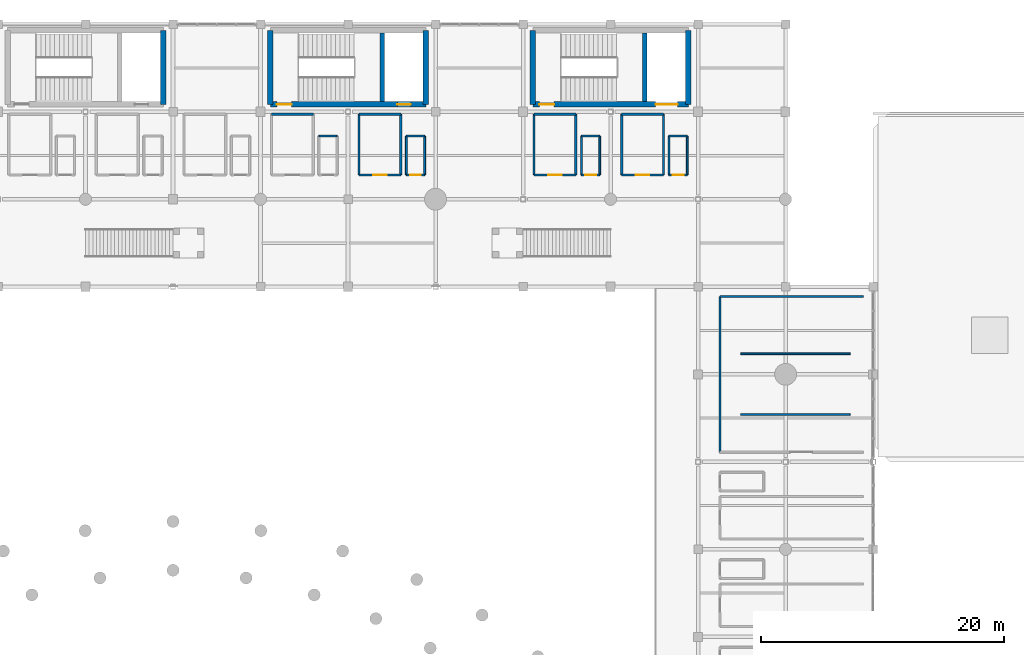
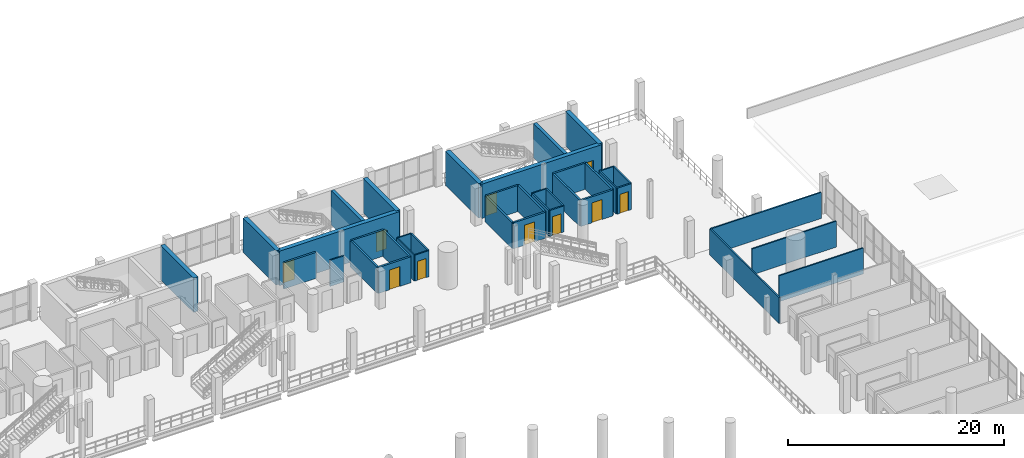
# One storey, part 110 of 130: 39 walls, 10 doors, 10 openings.
"""IFC4 building model written with IfcOpenShell, lengths in metres."""

from ifc_helpers import new_model, si_unit, direction, frame, frame_2d, origin, place, context, subcontext, project, spatial, rectangle, extrude, material, layer, layer_set, type_object, element, fill, save


model = new_model("IFC4")

# Units and contexts
model_context = context("Model", 3, precision=1e-05, world=origin(), true_north=direction((0.0, 1.0)))
body_context = subcontext(model_context, "Body", "Model", "MODEL_VIEW")
ifc_project = project(units=[si_unit("LENGTHUNIT", "METRE"), si_unit("AREAUNIT", "SQUARE_METRE"), si_unit("VOLUMEUNIT", "CUBIC_METRE"), si_unit("PLANEANGLEUNIT", "RADIAN"), si_unit("MASSUNIT", "GRAM", prefix="KILO")], contexts=[model_context])

# Site, building, storey
site_placement = place(None, origin())
site = spatial("IfcSite", under=ifc_project, at=site_placement, CompositionType="ELEMENT")
building_placement = place(site_placement, origin())
building = spatial("IfcBuilding", under=site, at=building_placement, Name="Qandorah Velis Arena", CompositionType="ELEMENT")
storey_placement = place(building_placement, frame((0.0, 0.0, 9.60009765625)))
storey = spatial("IfcBuildingStorey", under=building, at=storey_placement, Name="L02", CompositionType="ELEMENT", Elevation=9.60009765625)

# Wall
ifc_material_1 = material(Name="Concrete C35/45", Category="concrete")
ifc_layer_1 = layer(ifc_material_1, 0.199951171875)
ifc_layer_set_1 = layer_set([ifc_layer_1], Name="Concrete C35/45")
wall_type_1 = type_object("IfcWallType", Name="ARC-WAL-FD60-200", PredefinedType="PARTITIONING", material=ifc_layer_set_1)
wall_1_placement = place(storey_placement, frame((76.35009765625, 122.199951171875, 0.0), z_axis=(0.0, 0.0, 1.0), x_axis=(-1.0, 0.0, 0.0)))
element("IfcWall", 1, at=wall_1_placement, inside=storey, type_object=wall_type_1, Name="Interior partition L02-HS-23 (N)", PredefinedType="PARTITIONING", context=body_context, shape_type="SweptSolid", body=[
    extrude(rectangle(XDim=3.4501953125, YDim=0.199951171875, at=frame_2d((1.72509765625, 0.0))), origin(), (0.0, 0.0, 1.0), 2.93994140625),
])

# Wall, opening, door
wall_2_placement = place(storey_placement, frame((80.10009765625, 117.199951171875, 0.0), z_axis=(0.0, 0.0, 1.0), x_axis=(1.0, 0.0, 0.0)))
wall_2 = element("IfcWall", 2, at=wall_2_placement, inside=storey, type_object=wall_type_1, Name="Interior partition L02-HS-24 (S)", PredefinedType="PARTITIONING", context=body_context, shape_type="SweptSolid", body=[
    extrude(rectangle(XDim=3.449951171875, YDim=0.199951171875, at=frame_2d((1.72509765625, 0.0))), origin(), (0.0, 0.0, 1.0), 2.93994140625),
])
opening_1_placement = place(wall_2_placement, frame((1.175048828125, 0.0, 0.0)))
opening_1 = element("IfcOpeningElement", 3, at=opening_1_placement, cuts=wall_2, Name="Opening D7", PredefinedType="OPENING", context=body_context, shape_type="SweptSolid", body=[
    extrude(rectangle(XDim=1.10009765625, YDim=2.25, at=frame_2d((0.550048828125, 1.125))), frame((0.0, 0.10986328125, 0.0), z_axis=(0.0, -1.0, 0.0), x_axis=(1.0, 0.0, 0.0)), (0.0, 0.0, 1.0), 0.219970703125),
])
ifc_material_2 = material(Name="Hospitality suite acoustic walnut door")
door_type_1 = type_object("IfcDoorType", Name="ARC-DR-INT1100", OperationType="NOTDEFINED", PredefinedType="DOOR", material=ifc_material_2)
door_1_placement = place(opening_1_placement, origin())
door_1 = element("IfcDoor", 4, at=door_1_placement, inside=storey, type_object=door_type_1, Name="Door L02-HS-24", OperationType="SINGLE_SWING_LEFT", OverallHeight=2.25, OverallWidth=1.10009765625, PredefinedType="DOOR", context=body_context, shape_type="SweptSolid", body=[
    extrude(rectangle(XDim=1.10009765625, YDim=2.25, at=frame_2d((0.550048828125, 1.125))), frame((0.0, 0.02490234375, 0.0), z_axis=(0.0, -1.0, 0.0), x_axis=(1.0, 0.0, 0.0)), (0.0, 0.0, 1.0), 0.050048828125),
])
fill(opening_1, door_1)

# Walls
wall_3_placement = place(storey_placement, frame((83.550048828125, 117.199951171875, 0.0), z_axis=(0.0, 0.0, 1.0), x_axis=(0.0, 1.0, 0.0)))
element("IfcWall", 5, at=wall_3_placement, inside=storey, type_object=wall_type_1, Name="Interior partition L02-HS-24 (E)", PredefinedType="PARTITIONING", context=body_context, shape_type="SweptSolid", body=[
    extrude(rectangle(XDim=5.0, YDim=0.199951171875, at=frame_2d((2.5, 0.0))), origin(), (0.0, 0.0, 1.0), 2.93994140625),
])
wall_4_placement = place(storey_placement, frame((83.550048828125, 122.199951171875, 0.0), z_axis=(0.0, 0.0, 1.0), x_axis=(-1.0, 0.0, 0.0)))
element("IfcWall", 6, at=wall_4_placement, inside=storey, type_object=wall_type_1, Name="Interior partition L02-HS-24 (N)", PredefinedType="PARTITIONING", context=body_context, shape_type="SweptSolid", body=[
    extrude(rectangle(XDim=3.449951171875, YDim=0.199951171875, at=frame_2d((1.72509765625, 0.0))), origin(), (0.0, 0.0, 1.0), 2.93994140625),
])
wall_5_placement = place(storey_placement, frame((80.10009765625, 122.199951171875, 0.0), z_axis=(0.0, 0.0, 1.0), x_axis=(0.0, -1.0, 0.0)))
element("IfcWall", 7, at=wall_5_placement, inside=storey, type_object=wall_type_1, Name="Interior partition L02-HS-24 (W)", PredefinedType="PARTITIONING", context=body_context, shape_type="SweptSolid", body=[
    extrude(rectangle(XDim=5.0, YDim=0.199951171875, at=frame_2d((2.5, 0.0))), origin(), (0.0, 0.0, 1.0), 2.93994140625),
])

# Wall, opening, door
wall_6_placement = place(storey_placement, frame((94.5, 117.199951171875, 0.0), z_axis=(0.0, 0.0, 1.0), x_axis=(1.0, 0.0, 0.0)))
wall_6 = element("IfcWall", 8, at=wall_6_placement, inside=storey, type_object=wall_type_1, Name="Interior partition L02-HS-25 (S)", PredefinedType="PARTITIONING", context=body_context, shape_type="SweptSolid", body=[
    extrude(rectangle(XDim=3.449951171875, YDim=0.199951171875, at=frame_2d((1.72509765625, 0.0))), origin(), (0.0, 0.0, 1.0), 2.93994140625),
])
opening_2_placement = place(wall_6_placement, frame((1.175048828125, 0.0, 0.0)))
opening_2 = element("IfcOpeningElement", 9, at=opening_2_placement, cuts=wall_6, Name="Opening D7", PredefinedType="OPENING", context=body_context, shape_type="SweptSolid", body=[
    extrude(rectangle(XDim=1.10009765625, YDim=2.25, at=frame_2d((0.550048828125, 1.125))), frame((0.0, 0.10986328125, 0.0), z_axis=(0.0, -1.0, 0.0), x_axis=(1.0, 0.0, 0.0)), (0.0, 0.0, 1.0), 0.219970703125),
])
door_2_placement = place(opening_2_placement, origin())
door_2 = element("IfcDoor", 10, at=door_2_placement, inside=storey, type_object=door_type_1, Name="Door L02-HS-25", OperationType="SINGLE_SWING_LEFT", OverallHeight=2.25, OverallWidth=1.10009765625, PredefinedType="DOOR", context=body_context, shape_type="SweptSolid", body=[
    extrude(rectangle(XDim=1.10009765625, YDim=2.25, at=frame_2d((0.550048828125, 1.125))), frame((0.0, 0.02490234375, 0.0), z_axis=(0.0, -1.0, 0.0), x_axis=(1.0, 0.0, 0.0)), (0.0, 0.0, 1.0), 0.050048828125),
])
fill(opening_2, door_2)

# Walls
wall_7_placement = place(storey_placement, frame((97.949951171875, 117.199951171875, 0.0), z_axis=(0.0, 0.0, 1.0), x_axis=(0.0, 1.0, 0.0)))
element("IfcWall", 11, at=wall_7_placement, inside=storey, type_object=wall_type_1, Name="Interior partition L02-HS-25 (E)", PredefinedType="PARTITIONING", context=body_context, shape_type="SweptSolid", body=[
    extrude(rectangle(XDim=5.0, YDim=0.199951171875, at=frame_2d((2.5, 0.0))), origin(), (0.0, 0.0, 1.0), 2.93994140625),
])
wall_8_placement = place(storey_placement, frame((97.949951171875, 122.199951171875, 0.0), z_axis=(0.0, 0.0, 1.0), x_axis=(-1.0, 0.0, 0.0)))
element("IfcWall", 12, at=wall_8_placement, inside=storey, type_object=wall_type_1, Name="Interior partition L02-HS-25 (N)", PredefinedType="PARTITIONING", context=body_context, shape_type="SweptSolid", body=[
    extrude(rectangle(XDim=3.449951171875, YDim=0.199951171875, at=frame_2d((1.72509765625, 0.0))), origin(), (0.0, 0.0, 1.0), 2.93994140625),
])
wall_9_placement = place(storey_placement, frame((94.5, 122.199951171875, 0.0), z_axis=(0.0, 0.0, 1.0), x_axis=(0.0, -1.0, 0.0)))
element("IfcWall", 13, at=wall_9_placement, inside=storey, type_object=wall_type_1, Name="Interior partition L02-HS-25 (W)", PredefinedType="PARTITIONING", context=body_context, shape_type="SweptSolid", body=[
    extrude(rectangle(XDim=5.0, YDim=0.199951171875, at=frame_2d((2.5, 0.0))), origin(), (0.0, 0.0, 1.0), 2.93994140625),
])

# Wall, opening, door
wall_10_placement = place(storey_placement, frame((101.699951171875, 117.199951171875, 0.0), z_axis=(0.0, 0.0, 1.0), x_axis=(1.0, 0.0, 0.0)))
wall_10 = element("IfcWall", 14, at=wall_10_placement, inside=storey, type_object=wall_type_1, Name="Interior partition L02-HS-26 (S)", PredefinedType="PARTITIONING", context=body_context, shape_type="SweptSolid", body=[
    extrude(rectangle(XDim=3.449951171875, YDim=0.199951171875, at=frame_2d((1.72509765625, 0.0))), origin(), (0.0, 0.0, 1.0), 2.93994140625),
])
opening_3_placement = place(wall_10_placement, frame((1.175048828125, 0.0, 0.0)))
opening_3 = element("IfcOpeningElement", 15, at=opening_3_placement, cuts=wall_10, Name="Opening D7", PredefinedType="OPENING", context=body_context, shape_type="SweptSolid", body=[
    extrude(rectangle(XDim=1.10009765625, YDim=2.25, at=frame_2d((0.550048828125, 1.125))), frame((0.0, 0.10986328125, 0.0), z_axis=(0.0, -1.0, 0.0), x_axis=(1.0, 0.0, 0.0)), (0.0, 0.0, 1.0), 0.219970703125),
])
door_3_placement = place(opening_3_placement, origin())
door_3 = element("IfcDoor", 16, at=door_3_placement, inside=storey, type_object=door_type_1, Name="Door L02-HS-26", OperationType="SINGLE_SWING_LEFT", OverallHeight=2.25, OverallWidth=1.10009765625, PredefinedType="DOOR", context=body_context, shape_type="SweptSolid", body=[
    extrude(rectangle(XDim=1.10009765625, YDim=2.25, at=frame_2d((0.550048828125, 1.125))), frame((0.0, 0.02490234375, 0.0), z_axis=(0.0, -1.0, 0.0), x_axis=(1.0, 0.0, 0.0)), (0.0, 0.0, 1.0), 0.050048828125),
])
fill(opening_3, door_3)

# Walls
wall_11_placement = place(storey_placement, frame((105.14990234375, 117.199951171875, 0.0), z_axis=(0.0, 0.0, 1.0), x_axis=(0.0, 1.0, 0.0)))
element("IfcWall", 17, at=wall_11_placement, inside=storey, type_object=wall_type_1, Name="Interior partition L02-HS-26 (E)", PredefinedType="PARTITIONING", context=body_context, shape_type="SweptSolid", body=[
    extrude(rectangle(XDim=5.0, YDim=0.199951171875, at=frame_2d((2.5, 0.0))), origin(), (0.0, 0.0, 1.0), 2.93994140625),
])
wall_12_placement = place(storey_placement, frame((105.14990234375, 122.199951171875, 0.0), z_axis=(0.0, 0.0, 1.0), x_axis=(-1.0, 0.0, 0.0)))
element("IfcWall", 18, at=wall_12_placement, inside=storey, type_object=wall_type_1, Name="Interior partition L02-HS-26 (N)", PredefinedType="PARTITIONING", context=body_context, shape_type="SweptSolid", body=[
    extrude(rectangle(XDim=3.449951171875, YDim=0.199951171875, at=frame_2d((1.72509765625, 0.0))), origin(), (0.0, 0.0, 1.0), 2.93994140625),
])
wall_13_placement = place(storey_placement, frame((101.699951171875, 122.199951171875, 0.0), z_axis=(0.0, 0.0, 1.0), x_axis=(0.0, -1.0, 0.0)))
element("IfcWall", 19, at=wall_13_placement, inside=storey, type_object=wall_type_1, Name="Interior partition L02-HS-26 (W)", PredefinedType="PARTITIONING", context=body_context, shape_type="SweptSolid", body=[
    extrude(rectangle(XDim=5.0, YDim=0.199951171875, at=frame_2d((2.5, 0.0))), origin(), (0.0, 0.0, 1.0), 2.93994140625),
])
ifc_material_3 = material(Name="Steel S355", Category="steel")
ifc_layer_2 = layer(ifc_material_3, 0.139892578125)
ifc_layer_set_2 = layer_set([ifc_layer_2], Name="Steel S355")
wall_type_2 = type_object("IfcWallType", Name="ARC-WAL-MOV140", PredefinedType="MOVABLE", material=ifc_layer_set_2)
for number, where, z_axis, x_axis, name in (
    (20, (111.5, 97.5, 0.0), (0.0, 0.0, 1.0), (1.0, 0.0, 0.0), "Operable acoustic partition MP-03"),
    (21, (111.5, 102.5, 0.0), (0.0, 0.0, 1.0), (1.0, 0.0, 0.0), "Operable acoustic partition MP-04"),
):
    element("IfcWall", number, at=place(storey_placement, frame(where, z_axis=z_axis, x_axis=x_axis)), inside=storey, type_object=wall_type_2, Name=name, PredefinedType="MOVABLE", context=body_context, shape_type="SweptSolid", body=[
        extrude(rectangle(XDim=9.0, YDim=0.139892578125, at=frame_2d((4.5, 0.0))), origin(), (0.0, 0.0, 1.0), 2.929931640625),
    ])
ifc_layer_3 = layer(ifc_material_1, 0.14990234375)
ifc_layer_set_3 = layer_set([ifc_layer_3], Name="Concrete C35/45")
wall_type_3 = type_object("IfcWallType", Name="ARC-WAL-PART150", PredefinedType="PARTITIONING", material=ifc_layer_set_3)
wall_14_placement = place(storey_placement, frame((121.60009765625, 107.199951171875, 0.0), z_axis=(0.0, 0.0, 1.0), x_axis=(-1.0, 0.0, 0.0)))
element("IfcWall", 22, at=wall_14_placement, inside=storey, type_object=wall_type_3, Name="Interior partition L02-EAST-BANQ (N)", PredefinedType="PARTITIONING", context=body_context, shape_type="SweptSolid", body=[
    extrude(rectangle(XDim=11.800048828125, YDim=0.14990234375, at=frame_2d((5.89990234375, 0.0))), origin(), (0.0, 0.0, 1.0), 2.93994140625),
])
wall_15_placement = place(storey_placement, frame((109.800048828125, 107.199951171875, 0.0), z_axis=(0.0, 0.0, 1.0), x_axis=(0.0, -1.0, 0.0)))
element("IfcWall", 23, at=wall_15_placement, inside=storey, type_object=wall_type_3, Name="Interior partition L02-EAST-BANQ (W)", PredefinedType="PARTITIONING", context=body_context, shape_type="SweptSolid", body=[
    extrude(rectangle(XDim=12.800048828125, YDim=0.14990234375, at=frame_2d((6.39990234375, 0.0))), origin(), (0.0, 0.0, 1.0), 2.93994140625),
])
wall_16_placement = place(storey_placement, frame((78.300048828125, 120.39990234375, 0.0), z_axis=(0.0, 0.0, 1.0), x_axis=(-1.0, 0.0, 0.0)))
element("IfcWall", 24, at=wall_16_placement, inside=storey, type_object=wall_type_3, Name="Interior partition L02-HSWC-23 (N)", PredefinedType="PARTITIONING", context=body_context, shape_type="SweptSolid", body=[
    extrude(rectangle(XDim=1.5, YDim=0.14990234375, at=frame_2d((0.75, 0.0))), origin(), (0.0, 0.0, 1.0), 2.93994140625),
])

# Wall, opening, door
wall_17_placement = place(storey_placement, frame((84.0, 117.199951171875, 0.0), z_axis=(0.0, 0.0, 1.0), x_axis=(1.0, 0.0, 0.0)))
wall_17 = element("IfcWall", 25, at=wall_17_placement, inside=storey, type_object=wall_type_3, Name="Interior partition L02-HSWC-24 (S)", PredefinedType="PARTITIONING", context=body_context, shape_type="SweptSolid", body=[
    extrude(rectangle(XDim=1.5, YDim=0.14990234375, at=frame_2d((0.75, 0.0))), origin(), (0.0, 0.0, 1.0), 2.93994140625),
])
opening_4_placement = place(wall_17_placement, frame((0.300048828125, 0.0, 0.0)))
opening_4 = element("IfcOpeningElement", 26, at=opening_4_placement, cuts=wall_17, Name="Opening D8", PredefinedType="OPENING", context=body_context, shape_type="SweptSolid", body=[
    extrude(rectangle(XDim=0.89990234375, YDim=2.14990234375, at=frame_2d((0.449951171875, 1.074951171875))), frame((0.0, 0.0849609375, 0.0), z_axis=(0.0, -1.0, 0.0), x_axis=(1.0, 0.0, 0.0)), (0.0, 0.0, 1.0), 0.169921875),
])
ifc_material_4 = material(Name="Suite en-suite walnut door")
door_type_2 = type_object("IfcDoorType", Name="ARC-DR-WC900", OperationType="NOTDEFINED", PredefinedType="DOOR", material=ifc_material_4)
door_4_placement = place(opening_4_placement, frame((0.89990234375, 0.0, 0.0), z_axis=(0.0, 0.0, 1.0), x_axis=(-1.0, 0.0, 0.0)))
door_4 = element("IfcDoor", 27, at=door_4_placement, inside=storey, type_object=door_type_2, Name="Door L02-HSWC-24", OperationType="SINGLE_SWING_RIGHT", OverallHeight=2.14990234375, OverallWidth=0.89990234375, PredefinedType="DOOR", context=body_context, shape_type="SweptSolid", body=[
    extrude(rectangle(XDim=0.89990234375, YDim=2.14990234375, at=frame_2d((0.449951171875, 1.074951171875))), frame((0.0, 0.02490234375, 0.0), z_axis=(0.0, -1.0, 0.0), x_axis=(1.0, 0.0, 0.0)), (0.0, 0.0, 1.0), 0.050048828125),
])
fill(opening_4, door_4)

# Walls
wall_18_placement = place(storey_placement, frame((85.5, 117.199951171875, 0.0), z_axis=(0.0, 0.0, 1.0), x_axis=(0.0, 1.0, 0.0)))
element("IfcWall", 28, at=wall_18_placement, inside=storey, type_object=wall_type_3, Name="Interior partition L02-HSWC-24 (E)", PredefinedType="PARTITIONING", context=body_context, shape_type="SweptSolid", body=[
    extrude(rectangle(XDim=3.199951171875, YDim=0.14990234375, at=frame_2d((1.60009765625, 0.0))), origin(), (0.0, 0.0, 1.0), 2.93994140625),
])
wall_19_placement = place(storey_placement, frame((85.5, 120.39990234375, 0.0), z_axis=(0.0, 0.0, 1.0), x_axis=(-1.0, 0.0, 0.0)))
element("IfcWall", 29, at=wall_19_placement, inside=storey, type_object=wall_type_3, Name="Interior partition L02-HSWC-24 (N)", PredefinedType="PARTITIONING", context=body_context, shape_type="SweptSolid", body=[
    extrude(rectangle(XDim=1.5, YDim=0.14990234375, at=frame_2d((0.75, 0.0))), origin(), (0.0, 0.0, 1.0), 2.93994140625),
])
wall_20_placement = place(storey_placement, frame((84.0, 120.39990234375, 0.0), z_axis=(0.0, 0.0, 1.0), x_axis=(0.0, -1.0, 0.0)))
element("IfcWall", 30, at=wall_20_placement, inside=storey, type_object=wall_type_3, Name="Interior partition L02-HSWC-24 (W)", PredefinedType="PARTITIONING", context=body_context, shape_type="SweptSolid", body=[
    extrude(rectangle(XDim=3.199951171875, YDim=0.14990234375, at=frame_2d((1.60009765625, 0.0))), origin(), (0.0, 0.0, 1.0), 2.93994140625),
])

# Wall, opening, door
wall_21_placement = place(storey_placement, frame((98.39990234375, 117.199951171875, 0.0), z_axis=(0.0, 0.0, 1.0), x_axis=(1.0, 0.0, 0.0)))
wall_21 = element("IfcWall", 31, at=wall_21_placement, inside=storey, type_object=wall_type_3, Name="Interior partition L02-HSWC-25 (S)", PredefinedType="PARTITIONING", context=body_context, shape_type="SweptSolid", body=[
    extrude(rectangle(XDim=1.5, YDim=0.14990234375, at=frame_2d((0.75, 0.0))), origin(), (0.0, 0.0, 1.0), 2.93994140625),
])
opening_5_placement = place(wall_21_placement, frame((0.300048828125, 0.0, 0.0)))
opening_5 = element("IfcOpeningElement", 32, at=opening_5_placement, cuts=wall_21, Name="Opening D8", PredefinedType="OPENING", context=body_context, shape_type="SweptSolid", body=[
    extrude(rectangle(XDim=0.89990234375, YDim=2.14990234375, at=frame_2d((0.449951171875, 1.074951171875))), frame((0.0, 0.0849609375, 0.0), z_axis=(0.0, -1.0, 0.0), x_axis=(1.0, 0.0, 0.0)), (0.0, 0.0, 1.0), 0.169921875),
])
door_5_placement = place(opening_5_placement, frame((0.89990234375, 0.0, 0.0), z_axis=(0.0, 0.0, 1.0), x_axis=(-1.0, 0.0, 0.0)))
door_5 = element("IfcDoor", 33, at=door_5_placement, inside=storey, type_object=door_type_2, Name="Door L02-HSWC-25", OperationType="SINGLE_SWING_RIGHT", OverallHeight=2.14990234375, OverallWidth=0.89990234375, PredefinedType="DOOR", context=body_context, shape_type="SweptSolid", body=[
    extrude(rectangle(XDim=0.89990234375, YDim=2.14990234375, at=frame_2d((0.449951171875, 1.074951171875))), frame((0.0, 0.02490234375, 0.0), z_axis=(0.0, -1.0, 0.0), x_axis=(1.0, 0.0, 0.0)), (0.0, 0.0, 1.0), 0.050048828125),
])
fill(opening_5, door_5)

# Walls
wall_22_placement = place(storey_placement, frame((99.89990234375, 117.199951171875, 0.0), z_axis=(0.0, 0.0, 1.0), x_axis=(0.0, 1.0, 0.0)))
element("IfcWall", 34, at=wall_22_placement, inside=storey, type_object=wall_type_3, Name="Interior partition L02-HSWC-25 (E)", PredefinedType="PARTITIONING", context=body_context, shape_type="SweptSolid", body=[
    extrude(rectangle(XDim=3.199951171875, YDim=0.14990234375, at=frame_2d((1.60009765625, 0.0))), origin(), (0.0, 0.0, 1.0), 2.93994140625),
])
wall_23_placement = place(storey_placement, frame((99.89990234375, 120.39990234375, 0.0), z_axis=(0.0, 0.0, 1.0), x_axis=(-1.0, 0.0, 0.0)))
element("IfcWall", 35, at=wall_23_placement, inside=storey, type_object=wall_type_3, Name="Interior partition L02-HSWC-25 (N)", PredefinedType="PARTITIONING", context=body_context, shape_type="SweptSolid", body=[
    extrude(rectangle(XDim=1.5, YDim=0.14990234375, at=frame_2d((0.75, 0.0))), origin(), (0.0, 0.0, 1.0), 2.93994140625),
])
wall_24_placement = place(storey_placement, frame((98.39990234375, 120.39990234375, 0.0), z_axis=(0.0, 0.0, 1.0), x_axis=(0.0, -1.0, 0.0)))
element("IfcWall", 36, at=wall_24_placement, inside=storey, type_object=wall_type_3, Name="Interior partition L02-HSWC-25 (W)", PredefinedType="PARTITIONING", context=body_context, shape_type="SweptSolid", body=[
    extrude(rectangle(XDim=3.199951171875, YDim=0.14990234375, at=frame_2d((1.60009765625, 0.0))), origin(), (0.0, 0.0, 1.0), 2.93994140625),
])

# Wall, opening, door
wall_25_placement = place(storey_placement, frame((105.60009765625, 117.199951171875, 0.0), z_axis=(0.0, 0.0, 1.0), x_axis=(1.0, 0.0, 0.0)))
wall_25 = element("IfcWall", 37, at=wall_25_placement, inside=storey, type_object=wall_type_3, Name="Interior partition L02-HSWC-26 (S)", PredefinedType="PARTITIONING", context=body_context, shape_type="SweptSolid", body=[
    extrude(rectangle(XDim=1.5, YDim=0.14990234375, at=frame_2d((0.75, 0.0))), origin(), (0.0, 0.0, 1.0), 2.93994140625),
])
opening_6_placement = place(wall_25_placement, frame((0.300048828125, 0.0, 0.0)))
opening_6 = element("IfcOpeningElement", 38, at=opening_6_placement, cuts=wall_25, Name="Opening D8", PredefinedType="OPENING", context=body_context, shape_type="SweptSolid", body=[
    extrude(rectangle(XDim=0.89990234375, YDim=2.14990234375, at=frame_2d((0.449951171875, 1.074951171875))), frame((0.0, 0.0849609375, 0.0), z_axis=(0.0, -1.0, 0.0), x_axis=(1.0, 0.0, 0.0)), (0.0, 0.0, 1.0), 0.169921875),
])
door_6_placement = place(opening_6_placement, frame((0.89990234375, 0.0, 0.0), z_axis=(0.0, 0.0, 1.0), x_axis=(-1.0, 0.0, 0.0)))
door_6 = element("IfcDoor", 39, at=door_6_placement, inside=storey, type_object=door_type_2, Name="Door L02-HSWC-26", OperationType="SINGLE_SWING_RIGHT", OverallHeight=2.14990234375, OverallWidth=0.89990234375, PredefinedType="DOOR", context=body_context, shape_type="SweptSolid", body=[
    extrude(rectangle(XDim=0.89990234375, YDim=2.14990234375, at=frame_2d((0.449951171875, 1.074951171875))), frame((0.0, 0.02490234375, 0.0), z_axis=(0.0, -1.0, 0.0), x_axis=(1.0, 0.0, 0.0)), (0.0, 0.0, 1.0), 0.050048828125),
])
fill(opening_6, door_6)

# Walls
wall_26_placement = place(storey_placement, frame((107.10009765625, 117.199951171875, 0.0), z_axis=(0.0, 0.0, 1.0), x_axis=(0.0, 1.0, 0.0)))
element("IfcWall", 40, at=wall_26_placement, inside=storey, type_object=wall_type_3, Name="Interior partition L02-HSWC-26 (E)", PredefinedType="PARTITIONING", context=body_context, shape_type="SweptSolid", body=[
    extrude(rectangle(XDim=3.199951171875, YDim=0.14990234375, at=frame_2d((1.60009765625, 0.0))), origin(), (0.0, 0.0, 1.0), 2.93994140625),
])
wall_27_placement = place(storey_placement, frame((107.10009765625, 120.39990234375, 0.0), z_axis=(0.0, 0.0, 1.0), x_axis=(-1.0, 0.0, 0.0)))
element("IfcWall", 41, at=wall_27_placement, inside=storey, type_object=wall_type_3, Name="Interior partition L02-HSWC-26 (N)", PredefinedType="PARTITIONING", context=body_context, shape_type="SweptSolid", body=[
    extrude(rectangle(XDim=1.5, YDim=0.14990234375, at=frame_2d((0.75, 0.0))), origin(), (0.0, 0.0, 1.0), 2.93994140625),
])
wall_28_placement = place(storey_placement, frame((105.60009765625, 120.39990234375, 0.0), z_axis=(0.0, 0.0, 1.0), x_axis=(0.0, -1.0, 0.0)))
element("IfcWall", 42, at=wall_28_placement, inside=storey, type_object=wall_type_3, Name="Interior partition L02-HSWC-26 (W)", PredefinedType="PARTITIONING", context=body_context, shape_type="SweptSolid", body=[
    extrude(rectangle(XDim=3.199951171875, YDim=0.14990234375, at=frame_2d((1.60009765625, 0.0))), origin(), (0.0, 0.0, 1.0), 2.93994140625),
])

# Wall, openings, doors
ifc_material_5 = material(Name="Concrete C40/50", Category="concrete")
ifc_layer_4 = layer(ifc_material_5, 0.449951171875)
ifc_layer_set_4 = layer_set([ifc_layer_4], Name="Concrete C40/50")
wall_type_4 = type_object("IfcWallType", Name="STR-WAL-CORE450", PredefinedType="SHEAR", material=ifc_layer_set_4)
wall_29_placement = place(storey_placement, frame((72.800048828125, 123.0, 0.0), z_axis=(0.0, 0.0, 1.0), x_axis=(1.0, 0.0, 0.0)))
wall_29 = element("IfcWall", 43, at=wall_29_placement, inside=storey, type_object=wall_type_4, Name="Core CORE-04 shear wall S (L02)", PredefinedType="SHEAR", context=body_context, shape_type="SweptSolid", body=[
    extrude(rectangle(XDim=12.800048828125, YDim=0.449951171875, at=frame_2d((6.39990234375, 0.0))), origin(), (0.0, 0.0, 1.0), 3.8798828125),
])
opening_7_placement = place(wall_29_placement, frame((0.550048828125, 0.0, 0.0)))
opening_7 = element("IfcOpeningElement", 44, at=opening_7_placement, cuts=wall_29, Name="Opening SD1", PredefinedType="OPENING", context=body_context, shape_type="SweptSolid", body=[
    extrude(rectangle(XDim=1.199951171875, YDim=2.25, at=frame_2d((0.60009765625, 1.125))), frame((0.0, 0.23486328125, 0.0), z_axis=(0.0, -1.0, 0.0), x_axis=(1.0, 0.0, 0.0)), (0.0, 0.0, 1.0), 0.469970703125),
])
opening_8_placement = place(wall_29_placement, frame((10.4580078125, 0.0, 0.0)))
opening_8 = element("IfcOpeningElement", 45, at=opening_8_placement, cuts=wall_29, Name="Opening LD1", PredefinedType="OPENING", context=body_context, shape_type="SweptSolid", body=[
    extrude(rectangle(XDim=1.10009765625, YDim=2.199951171875, at=frame_2d((0.550048828125, 1.10009765625))), frame((0.0, 0.23486328125, 0.0), z_axis=(0.0, -1.0, 0.0), x_axis=(1.0, 0.0, 0.0)), (0.0, 0.0, 1.0), 0.469970703125),
])
ifc_material_6 = material(Name="Stainless steel sliding lift landing door", Category="steel")
door_type_3 = type_object("IfcDoorType", Name="ARC-DR-LD1100", OperationType="NOTDEFINED", PredefinedType="DOOR", material=ifc_material_6)
door_7_placement = place(opening_8_placement, origin())
door_7 = element("IfcDoor", 46, at=door_7_placement, inside=storey, type_object=door_type_3, Name="Lift PL2 sliding landing door (L02)", OperationType="SLIDING_TO_RIGHT", OverallHeight=2.199951171875, OverallWidth=1.10009765625, PredefinedType="DOOR", context=body_context, shape_type="SweptSolid", body=[
    extrude(rectangle(XDim=1.10009765625, YDim=2.199951171875, at=frame_2d((0.550048828125, 1.10009765625))), frame((0.0, 0.02490234375, 0.0), z_axis=(0.0, -1.0, 0.0), x_axis=(1.0, 0.0, 0.0)), (0.0, 0.0, 1.0), 0.050048828125),
])
fill(opening_8, door_7)
ifc_material_7 = material(Name="Self-closing fire-rated stair steel door", Category="steel")
door_type_4 = type_object("IfcDoorType", Name="ARC-DR-ST1200", OperationType="NOTDEFINED", PredefinedType="DOOR", material=ifc_material_7)
door_8_placement = place(opening_7_placement, origin())
door_8 = element("IfcDoor", 47, at=door_8_placement, inside=storey, type_object=door_type_4, Name="Stair ST4 fire door (L02)", OperationType="SINGLE_SWING_RIGHT", OverallHeight=2.25, OverallWidth=1.199951171875, PredefinedType="DOOR", context=body_context, shape_type="SweptSolid", body=[
    extrude(rectangle(XDim=1.199951171875, YDim=2.25, at=frame_2d((0.60009765625, 1.125))), frame((0.0, 0.02490234375, 0.0), z_axis=(0.0, -1.0, 0.0), x_axis=(1.0, 0.0, 0.0)), (0.0, 0.0, 1.0), 0.050048828125),
])
fill(opening_7, door_8)

# Walls
for number, where, z_axis, x_axis, name in (
    (48, (72.800048828125, 123.0, 0.0), (0.0, 0.0, 1.0), (0.0, 1.0, 0.0), "Core CORE-04 shear wall W (L02)"),
    (49, (85.60009765625, 123.0, 0.0), (0.0, 0.0, 1.0), (0.0, 1.0, 0.0), "Core CORE-04 shear wall E (L02)"),
    (50, (64.0, 123.0, 0.0), (0.0, 0.0, 1.0), (0.0, 1.0, 0.0), "Core CORE-10 shear wall E (L02)"),
):
    element("IfcWall", number, at=place(storey_placement, frame(where, z_axis=z_axis, x_axis=x_axis)), inside=storey, type_object=wall_type_4, Name=name, PredefinedType="SHEAR", context=body_context, shape_type="SweptSolid", body=[
        extrude(rectangle(XDim=6.10009765625, YDim=0.449951171875, at=frame_2d((3.050048828125, 0.0))), origin(), (0.0, 0.0, 1.0), 3.8798828125),
    ])

# Wall, openings, doors
wall_30_placement = place(storey_placement, frame((94.39990234375, 123.0, 0.0), z_axis=(0.0, 0.0, 1.0), x_axis=(1.0, 0.0, 0.0)))
wall_30 = element("IfcWall", 51, at=wall_30_placement, inside=storey, type_object=wall_type_4, Name="Core CORE-12 shear wall S (L02)", PredefinedType="SHEAR", context=body_context, shape_type="SweptSolid", body=[
    extrude(rectangle(XDim=12.800048828125, YDim=0.449951171875, at=frame_2d((6.39990234375, 0.0))), origin(), (0.0, 0.0, 1.0), 3.8798828125),
])
opening_9_placement = place(wall_30_placement, frame((0.550048828125, 0.0, 0.0)))
opening_9 = element("IfcOpeningElement", 52, at=opening_9_placement, cuts=wall_30, Name="Opening SD1", PredefinedType="OPENING", context=body_context, shape_type="SweptSolid", body=[
    extrude(rectangle(XDim=1.199951171875, YDim=2.25, at=frame_2d((0.60009765625, 1.125))), frame((0.0, 0.23486328125, 0.0), z_axis=(0.0, -1.0, 0.0), x_axis=(1.0, 0.0, 0.0)), (0.0, 0.0, 1.0), 0.469970703125),
])
opening_10_placement = place(wall_30_placement, frame((10.10791015625, 0.0, 0.0)))
opening_10 = element("IfcOpeningElement", 53, at=opening_10_placement, cuts=wall_30, Name="Opening LD3", PredefinedType="OPENING", context=body_context, shape_type="SweptSolid", body=[
    extrude(rectangle(XDim=1.800048828125, YDim=2.39990234375, at=frame_2d((0.89990234375, 1.199951171875))), frame((0.0, 0.23486328125, 0.0), z_axis=(0.0, -1.0, 0.0), x_axis=(1.0, 0.0, 0.0)), (0.0, 0.0, 1.0), 0.469970703125),
])
ifc_material_8 = material(Name="Goods stainless bi-parting lift landing door", Category="steel")
door_type_5 = type_object("IfcDoorType", Name="ARC-DR-LD1800", OperationType="NOTDEFINED", PredefinedType="DOOR", material=ifc_material_8)
door_9_placement = place(opening_10_placement, origin())
door_9 = element("IfcDoor", 54, at=door_9_placement, inside=storey, type_object=door_type_5, Name="Lift GL2 sliding landing door (L02)", OperationType="SLIDING_TO_LEFT", OverallHeight=2.39990234375, OverallWidth=1.800048828125, PredefinedType="DOOR", context=body_context, shape_type="SweptSolid", body=[
    extrude(rectangle(XDim=1.800048828125, YDim=2.39990234375, at=frame_2d((0.89990234375, 1.199951171875))), frame((0.0, 0.02490234375, 0.0), z_axis=(0.0, -1.0, 0.0), x_axis=(1.0, 0.0, 0.0)), (0.0, 0.0, 1.0), 0.050048828125),
])
fill(opening_10, door_9)
door_10_placement = place(opening_9_placement, origin())
door_10 = element("IfcDoor", 55, at=door_10_placement, inside=storey, type_object=door_type_4, Name="Stair ST12 fire door (L02)", OperationType="SINGLE_SWING_RIGHT", OverallHeight=2.25, OverallWidth=1.199951171875, PredefinedType="DOOR", context=body_context, shape_type="SweptSolid", body=[
    extrude(rectangle(XDim=1.199951171875, YDim=2.25, at=frame_2d((0.60009765625, 1.125))), frame((0.0, 0.02490234375, 0.0), z_axis=(0.0, -1.0, 0.0), x_axis=(1.0, 0.0, 0.0)), (0.0, 0.0, 1.0), 0.050048828125),
])
fill(opening_9, door_10)

# Walls
for number, where, z_axis, x_axis, name in (
    (56, (94.39990234375, 123.0, 0.0), (0.0, 0.0, 1.0), (0.0, 1.0, 0.0), "Core CORE-12 shear wall W (L02)"),
    (57, (107.199951171875, 123.0, 0.0), (0.0, 0.0, 1.0), (0.0, 1.0, 0.0), "Core CORE-12 shear wall E (L02)"),
):
    element("IfcWall", number, at=place(storey_placement, frame(where, z_axis=z_axis, x_axis=x_axis)), inside=storey, type_object=wall_type_4, Name=name, PredefinedType="SHEAR", context=body_context, shape_type="SweptSolid", body=[
        extrude(rectangle(XDim=6.10009765625, YDim=0.449951171875, at=frame_2d((3.050048828125, 0.0))), origin(), (0.0, 0.0, 1.0), 3.8798828125),
    ])
ifc_layer_5 = layer(ifc_material_5, 0.35009765625)
ifc_layer_set_5 = layer_set([ifc_layer_5], Name="Concrete C40/50")
wall_type_5 = type_object("IfcWallType", Name="STR-WAL-SH350", PredefinedType="SHEAR", material=ifc_layer_set_5)
for number, where, z_axis, x_axis, name in (
    (58, (82.01611328125, 123.22509765625, 0.0), (0.0, 0.0, 1.0), (0.0, 1.0, 0.0), "Core CORE-04 shaft divider shear wall (L02)"),
    (59, (103.615966796875, 123.22509765625, 0.0), (0.0, 0.0, 1.0), (0.0, 1.0, 0.0), "Core CORE-12 shaft divider shear wall (L02)"),
):
    element("IfcWall", number, at=place(storey_placement, frame(where, z_axis=z_axis, x_axis=x_axis)), inside=storey, type_object=wall_type_5, Name=name, PredefinedType="SHEAR", context=body_context, shape_type="SweptSolid", body=[
        extrude(rectangle(XDim=5.64990234375, YDim=0.35009765625, at=frame_2d((2.824951171875, 0.0))), origin(), (0.0, 0.0, 1.0), 3.8798828125),
    ])

save(model, "model.ifc")
